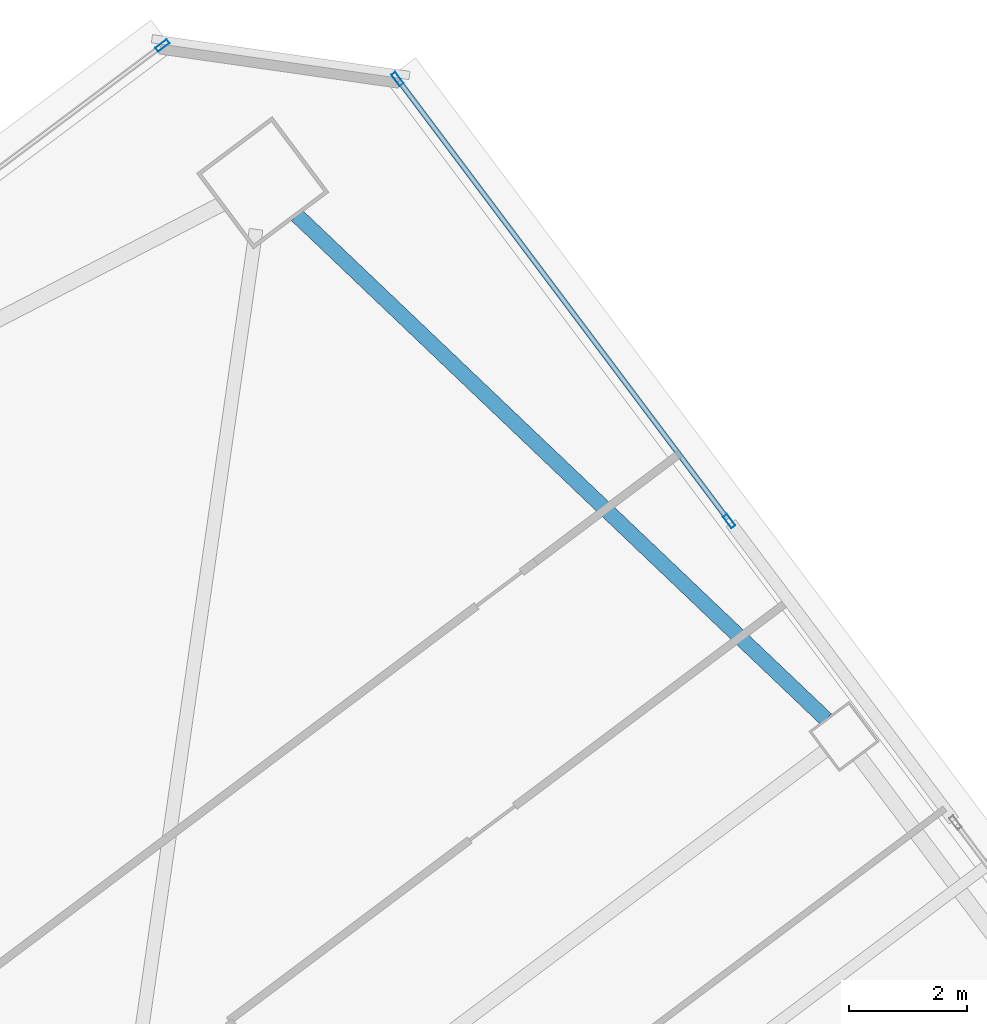
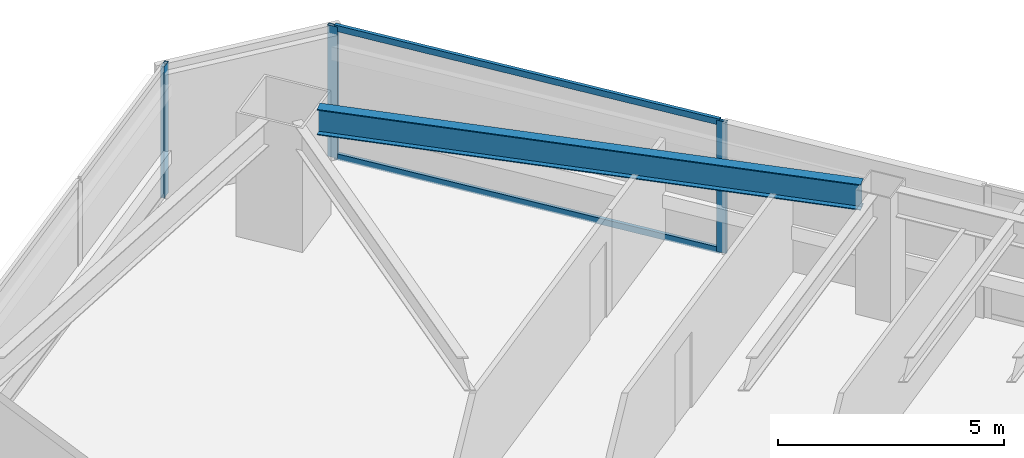
# One storey, part 31 of 46: 5 members, 1 beam, 2 elements without a shape of their own.
"""IFC4 building model written with IfcOpenShell, lengths in metres."""

import ifcopenshell
import ifcopenshell.guid

model = None  # the IFC model being written
_history = None  # IfcOwnerHistory: only IFC2X3 demands one
_inside = {}  # id of a spatial element -> (the spatial element, [elements in it])
_under = {}  # id of a project, library or spatial element -> (it, [spatial elements below it])
_declared = {}  # id of a project -> (the project, [libraries it declares])
_typed = {}  # id of a type object -> (the type object, [elements of that type])
_made_of = {}  # id of a material, layer set ... -> (it, [elements and type objects made of it])


def new_model(schema):
    """Start an empty IFC model of exactly this schema.

    Asked for "IFC4X3", IfcOpenShell would pick the latest addendum, in which some entities
    have other attributes; the version numbers below select the first issue.
    IFC2X3 requires an IfcOwnerHistory on every rooted entity: one is made here for all.
    """
    global model, _history
    if schema == "IFC4X3":
        model = ifcopenshell.file(schema_version=(4, 3, 0, 0))
    else:
        model = ifcopenshell.file(schema=schema)
    _inside.clear()
    _under.clear()
    _declared.clear()
    _typed.clear()
    _made_of.clear()
    _history = None
    if model.schema == "IFC2X3":
        org = make("IfcOrganization", Name="unknown")
        user = make(
            "IfcPersonAndOrganization",
            ThePerson=make("IfcPerson", FamilyName="unknown"),
            TheOrganization=org,
        )
        app = make(
            "IfcApplication",
            ApplicationDeveloper=org,
            Version="unknown",
            ApplicationFullName="unknown",
            ApplicationIdentifier="unknown",
        )
        _history = make(
            "IfcOwnerHistory",
            OwningUser=user,
            OwningApplication=app,
            ChangeAction="ADDED",
            CreationDate=0,
        )
    return model


def make(cls, **values):
    """One entity of the class cls with the attributes given. An attribute that is None is left unset."""
    return model.create_entity(
        cls, **{name: value for name, value in values.items() if value is not None}
    )


def rooted(cls, **values):
    """An entity with a GlobalId (a new one), such as an element, a storey or a relation."""
    return make(cls, GlobalId=ifcopenshell.guid.new(), OwnerHistory=_history, **values)


def si_unit(unit_type, name, prefix=None):
    """IfcSIUnit, for example si_unit("LENGTHUNIT", "METRE", prefix="MILLI")."""
    return make("IfcSIUnit", UnitType=unit_type, Prefix=prefix, Name=name)


def assignment(units):
    """IfcUnitAssignment: the units of a project."""
    return None if units is None else make("IfcUnitAssignment", Units=units)


def point(xyz):
    """IfcCartesianPoint."""
    return None if xyz is None else make("IfcCartesianPoint", Coordinates=xyz)


def direction(xyz):
    """IfcDirection."""
    return None if xyz is None else make("IfcDirection", DirectionRatios=xyz)


def frame(location, z_axis=None, x_axis=None):
    """IfcAxis2Placement3D, a coordinate frame: its origin and axes. An axis left out is left unset."""
    return make(
        "IfcAxis2Placement3D",
        Location=point(location),
        Axis=direction(z_axis),
        RefDirection=direction(x_axis),
    )


def frame_2d(location, x_axis=None):
    """IfcAxis2Placement2D, a coordinate frame in the plane: its origin and x axis."""
    return make(
        "IfcAxis2Placement2D", Location=point(location), RefDirection=direction(x_axis)
    )


def origin():
    """The frame at (0, 0, 0) with its axes left unset."""
    return frame((0.0, 0.0, 0.0))


def origin_2d():
    """The frame at (0, 0) in the plane with its x axis left unset."""
    return frame_2d((0.0, 0.0))


def place(relative_to, where):
    """IfcLocalPlacement: puts the frame where relative to a parent placement (None: the world)."""
    return make(
        "IfcLocalPlacement", PlacementRelTo=relative_to, RelativePlacement=where
    )


def context(
    kind, dimensions, precision=None, world=None, true_north=None, identifier=None
):
    """IfcGeometricRepresentationContext, for example the 3D "Model" context."""
    return make(
        "IfcGeometricRepresentationContext",
        ContextIdentifier=identifier,
        ContextType=kind,
        CoordinateSpaceDimension=dimensions,
        Precision=precision,
        WorldCoordinateSystem=world,
        TrueNorth=true_north,
    )


def subcontext(parent, identifier, kind, view, scale=None):
    """IfcGeometricRepresentationSubContext, for example "Body" below "Model"."""
    return make(
        "IfcGeometricRepresentationSubContext",
        ContextIdentifier=identifier,
        ContextType=kind,
        ParentContext=parent,
        TargetScale=scale,
        TargetView=view,
    )


def project(units=None, contexts=None):
    """IfcProject with its units and contexts."""
    return rooted(
        "IfcProject",
        Name="project",
        RepresentationContexts=contexts,
        UnitsInContext=assignment(units),
    )


def spatial(cls, under=None, at=None, **own):
    """A site, building, storey or space (cls), placed at a placement, below another one or the project."""
    s = rooted(cls, ObjectPlacement=at, **own)
    if under is not None:
        _under.setdefault(under.id(), (under, []))[1].append(s)
    return s


def profile(cls, at=None, kind="AREA", **sizes):
    """A parametric profile (cls). Its sizes go by their IFC names, for example OverallWidth=200.0."""
    return make(cls, ProfileType=kind, Position=at, **sizes)


def hollow_rectangle(**sizes):
    """IfcRectangleHollowProfileDef."""
    return profile("IfcRectangleHollowProfileDef", **sizes)


def i_section(**sizes):
    """IfcIShapeProfileDef."""
    return profile("IfcIShapeProfileDef", **sizes)


def extrude(swept, where, along, depth):
    """IfcExtrudedAreaSolid: the profile swept, set in the frame where, extruded along a direction by depth."""
    return make(
        "IfcExtrudedAreaSolid",
        SweptArea=swept,
        Position=where,
        ExtrudedDirection=direction(along),
        Depth=depth,
    )


def shape(context_of_items, identifier, shape_type, items):
    """IfcShapeRepresentation: the items that make up one representation, for example the "Body"."""
    return make(
        "IfcShapeRepresentation",
        ContextOfItems=context_of_items,
        RepresentationIdentifier=identifier,
        RepresentationType=shape_type,
        Items=items,
    )


def material(Name=None, Category=None):
    """IfcMaterial."""
    return make("IfcMaterial", Name=Name, Category=Category)


def material_profile(
    of_material, cross_section, Name=None, Category=None, Priority=None
):
    """IfcMaterialProfile: a cross section and its material."""
    return make(
        "IfcMaterialProfile",
        Name=Name,
        Material=of_material,
        Profile=cross_section,
        Priority=Priority,
        Category=Category,
    )


def profile_set(profiles, Name=None, composite=None):
    """IfcMaterialProfileSet."""
    return make(
        "IfcMaterialProfileSet",
        Name=Name,
        MaterialProfiles=profiles,
        CompositeProfile=composite,
    )


def made_of(thing, what):
    """Note that an element or type object is made of a material, layer set ...; save() writes the relation."""
    if what is not None:
        _made_of.setdefault(what.id(), (what, []))[1].append(thing)
    return thing


def type_object(cls, material=None, **own):
    """A type object (cls), such as IfcWallType, which elements share."""
    return made_of(rooted(cls, **own), material)


def element(
    cls,
    number,
    at=None,
    inside=None,
    cuts=None,
    type_object=None,
    material=None,
    context=None,
    identifier="Body",
    shape_type=None,
    held_by="IfcProductDefinitionShape",
    body=None,
    shapes=None,
    **own,
):
    """One element of the class cls, such as IfcWall. Its Tag is "e" and its number.

    at: its placement. inside: the storey or other place that contains it. cuts: it is an
    opening in that element (IfcRelVoidsElement). A single representation is given by context,
    identifier, shape_type and body (its items); several are given by shapes. held_by: the class
    of the entity that holds the representations. save() writes the other relations.
    """
    e = rooted(cls, Tag="e%d" % number, ObjectPlacement=at, **own)
    if body is not None:
        shapes = [shape(context, identifier, shape_type, body)]
    if shapes is not None:
        e.Representation = make(held_by, Representations=shapes)
    if inside is not None:
        _inside.setdefault(inside.id(), (inside, []))[1].append(e)
    if cuts is not None:
        rooted(
            "IfcRelVoidsElement", RelatingBuildingElement=cuts, RelatedOpeningElement=e
        )
    if type_object is not None:
        _typed.setdefault(type_object.id(), (type_object, []))[1].append(e)
    return made_of(e, material)


def aggregate(whole, parts):
    """IfcRelAggregates: a whole, such as a stair, and the parts it consists of."""
    return rooted("IfcRelAggregates", RelatingObject=whole, RelatedObjects=parts)


def save(model, path):
    """Write the relations noted so far, then the file.

    IfcRelAggregates (storeys below a building ...), IfcRelContainedInSpatialStructure (elements
    in a storey), IfcRelDefinesByType, IfcRelAssociatesMaterial and IfcRelDeclares: one each for
    every whole, place, type object, material and project.
    """
    for whole, parts in _under.values():
        aggregate(whole, parts)
    for where, things in _inside.values():
        rooted(
            "IfcRelContainedInSpatialStructure",
            RelatedElements=things,
            RelatingStructure=where,
        )
    for kind, things in _typed.values():
        rooted("IfcRelDefinesByType", RelatedObjects=things, RelatingType=kind)
    for what, things in _made_of.values():
        rooted("IfcRelAssociatesMaterial", RelatedObjects=things, RelatingMaterial=what)
    for by, libraries in _declared.values():
        rooted("IfcRelDeclares", RelatingContext=by, RelatedDefinitions=libraries)
    model.write(path)


model = new_model("IFC4")

# Units and contexts
model_context = context("Model", 3, precision=1e-05, world=origin(), true_north=direction((0.0, 1.0)))
body_context = subcontext(model_context, "Body", "Model", "MODEL_VIEW")
ifc_project = project(units=[si_unit("LENGTHUNIT", "METRE"), si_unit("AREAUNIT", "SQUARE_METRE"), si_unit("VOLUMEUNIT", "CUBIC_METRE"), si_unit("PLANEANGLEUNIT", "RADIAN"), si_unit("MASSUNIT", "GRAM", prefix="KILO")], contexts=[model_context])

# Site, building, storey
site_placement = place(None, origin())
site = spatial("IfcSite", under=ifc_project, at=site_placement, CompositionType="ELEMENT")
building_placement = place(site_placement, origin())
building = spatial("IfcBuilding", under=site, at=building_placement, Name="Tashvorn Skyway Center", CompositionType="ELEMENT")
storey_placement = place(building_placement, frame((0.0, 0.0, 38.800048828125)))
storey = spatial("IfcBuildingStorey", under=building, at=storey_placement, Name="L09", CompositionType="ELEMENT", Elevation=38.800048828125)

# Beam
ifc_material_1 = material(Name="Steel ASTM A992 Grade 50", Category="steel")
ifc_material_profile_1 = material_profile(ifc_material_1, i_section(OverallWidth=0.256103515625, OverallDepth=0.693115234375, WebThickness=0.014404296875, FlangeThickness=0.023681640625, at=origin_2d()), Name="W27X114")
ifc_profile_set_1 = profile_set([ifc_material_profile_1], Name="Steel ASTM A992 Grade 50")
beam_type = type_object("IfcBeamType", Name="BM-SPANDREL-W27X114", PredefinedType="SPANDREL", material=ifc_profile_set_1)
beam_placement = place(storey_placement, frame((127.2958984375, 49.23974609375, 3.00341796875), z_axis=(-0.724200339835, 0.689589637236, 0.0), x_axis=(-0.689589637236, -0.724200339835, 0.0)))
element("IfcBeam", 1, at=beam_placement, inside=storey, type_object=beam_type, Name="Tower 2 L09 Spandrel Beam 06", PredefinedType="SPANDREL", context=body_context, shape_type="SweptSolid", body=[
    extrude(i_section(OverallWidth=0.256103515625, OverallDepth=0.693115234375, WebThickness=0.014404296875, FlangeThickness=0.023681640625, at=origin_2d()), origin(), (0.0, 0.0, 1.0), 12.37255859375),
])

# Curtain wall, member
ifc_material_2 = material(Name="Thermally broken bronze-anodized aluminium 6063-T6", Category="aluminium")
curtain_wall_type = type_object("IfcCurtainWallType", Name="CW-CW-Z1", PredefinedType="NOTDEFINED", material=ifc_material_2)
curtain_wall_1_placement = place(storey_placement, origin())
curtain_wall_1 = element("IfcCurtainWall", 2, at=curtain_wall_1_placement, inside=storey, type_object=curtain_wall_type, Name="Tower 2 L09 North Curtain Wall R Glazing Group 1", PredefinedType="NOTDEFINED")
ifc_material_profile_2 = material_profile(ifc_material_2, hollow_rectangle(XDim=0.0849609375, YDim=0.239990234375, WallThickness=0.0048828125, at=origin_2d()), Name="ALU-MULL-85x240")
ifc_profile_set_2 = profile_set([ifc_material_profile_2], Name="Thermally broken bronze-anodized aluminium 6063-T6")
member_type_1 = type_object("IfcMemberType", Name="CWM-CW-Z1", PredefinedType="MULLION", material=ifc_profile_set_2)
member_1_placement = place(storey_placement, frame((116.06201171875, 60.646484375, 0.0), z_axis=(0.0, 0.0, 1.0), x_axis=(-0.599998359545, 0.800001230339, 0.0)))
member_1 = element("IfcMember", 3, at=member_1_placement, type_object=member_type_1, Name="CW-Z1 mullion 3", PredefinedType="MULLION", context=body_context, shape_type="SweptSolid", body=[
    extrude(hollow_rectangle(XDim=0.0849609375, YDim=0.239990234375, WallThickness=0.0048828125, at=origin_2d()), origin(), (0.0, 0.0, 1.0), 3.550048828125),
])
aggregate(curtain_wall_1, [member_1])

# Curtain wall, members
curtain_wall_2_placement = place(storey_placement, origin())
curtain_wall_2 = element("IfcCurtainWall", 4, at=curtain_wall_2_placement, inside=storey, type_object=curtain_wall_type, Name="Tower 2 L09 East Unitised Curtain Wall Glazing Group 1", PredefinedType="NOTDEFINED")
member_2_placement = place(storey_placement, frame((120.04150390625, 60.077880859375, 0.0), z_axis=(0.0, 0.0, 1.0), x_axis=(0.799999999998, 0.600000000002, 0.0)))
member_2 = element("IfcMember", 5, at=member_2_placement, type_object=member_type_1, Name="CW-Z1 mullion 1", PredefinedType="MULLION", context=body_context, shape_type="SweptSolid", body=[
    extrude(hollow_rectangle(XDim=0.0849609375, YDim=0.239990234375, WallThickness=0.0048828125, at=origin_2d()), origin(), (0.0, 0.0, 1.0), 3.550048828125),
])
member_3_placement = place(storey_placement, frame((125.654541015625, 52.593994140625, 0.0), z_axis=(0.0, 0.0, 1.0), x_axis=(0.799999999998, 0.600000000002, 0.0)))
member_3 = element("IfcMember", 6, at=member_3_placement, type_object=member_type_1, Name="CW-Z1 mullion 2", PredefinedType="MULLION", context=body_context, shape_type="SweptSolid", body=[
    extrude(hollow_rectangle(XDim=0.0849609375, YDim=0.239990234375, WallThickness=0.0048828125, at=origin_2d()), origin(), (0.0, 0.0, 1.0), 3.550048828125),
])
ifc_material_profile_3 = material_profile(ifc_material_2, hollow_rectangle(XDim=0.0849609375, YDim=0.1650390625, WallThickness=0.0048828125, at=origin_2d()), Name="ALU-TRAN-85x165")
ifc_profile_set_3 = profile_set([ifc_material_profile_3], Name="Thermally broken bronze-anodized aluminium 6063-T6")
member_type_2 = type_object("IfcMemberType", Name="CWT-CW-Z1", PredefinedType="USERDEFINED", material=ifc_profile_set_3)
member_4_placement = place(storey_placement, frame((120.06689453125, 60.0439453125, 0.04248046875), z_axis=(0.6, -0.8, 0.0), x_axis=(0.8, 0.6, 0.0)))
member_4 = element("IfcMember", 7, at=member_4_placement, type_object=member_type_2, Name="CW-Z1 transom 1.1", ObjectType="TRANSOM", PredefinedType="USERDEFINED", context=body_context, shape_type="SweptSolid", body=[
    extrude(hollow_rectangle(XDim=0.0849609375, YDim=0.1650390625, WallThickness=0.0048828125, at=origin_2d()), origin(), (0.0, 0.0, 1.0), 9.27001953125),
])
member_5_placement = place(storey_placement, frame((120.06689453125, 60.0439453125, 3.507568359375), z_axis=(0.6, -0.8, 0.0), x_axis=(0.8, 0.6, 0.0)))
member_5 = element("IfcMember", 8, at=member_5_placement, type_object=member_type_2, Name="CW-Z1 transom 1.2", ObjectType="TRANSOM", PredefinedType="USERDEFINED", context=body_context, shape_type="SweptSolid", body=[
    extrude(hollow_rectangle(XDim=0.0849609375, YDim=0.1650390625, WallThickness=0.0048828125, at=origin_2d()), origin(), (0.0, 0.0, 1.0), 9.27001953125),
])
aggregate(curtain_wall_2, [member_2, member_3, member_4, member_5])

save(model, "model.ifc")
